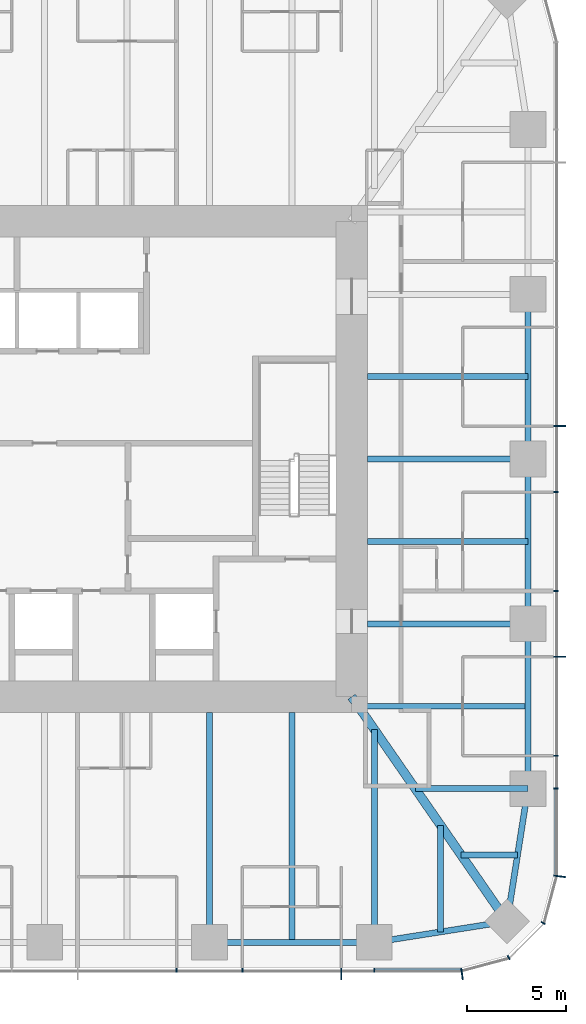
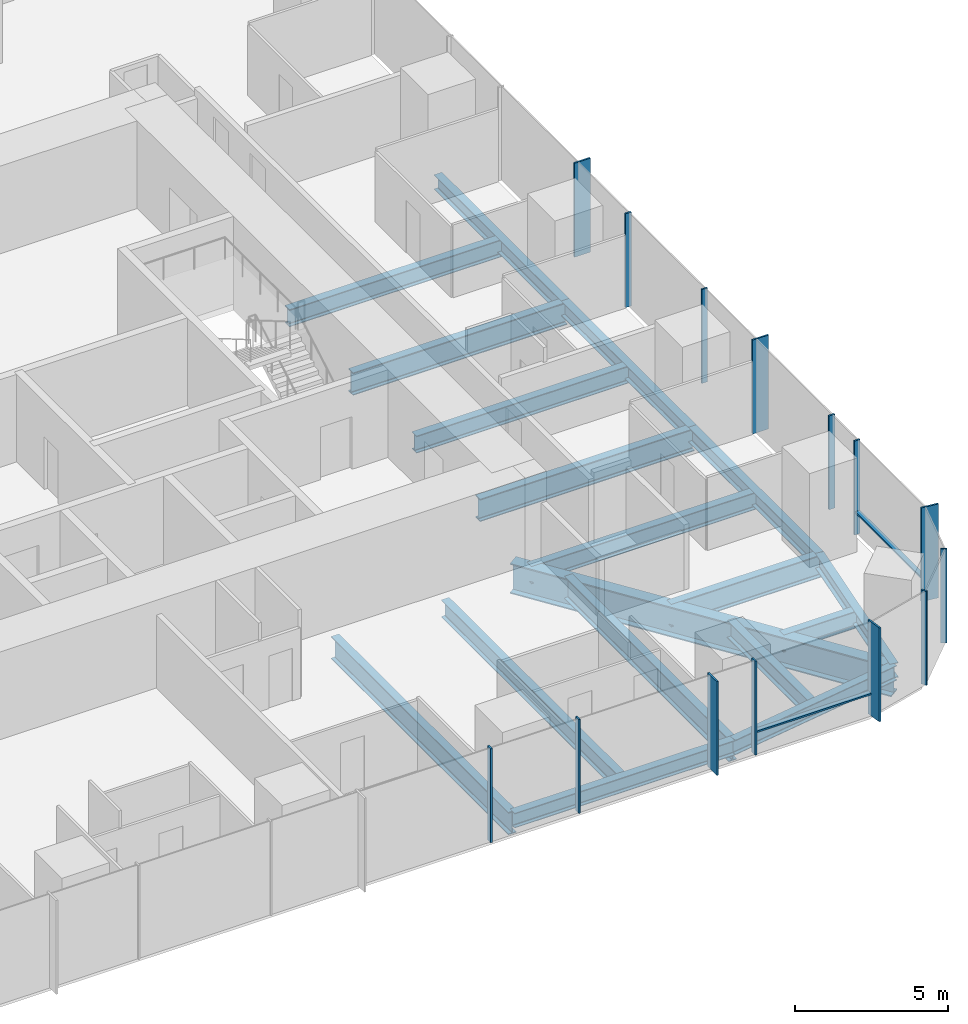
# One storey, part 4 of 13: 18 beams, 16 members, 3 elements without a shape of their own.
"""IFC4 building model written with IfcOpenShell, lengths in metres."""

from ifc_helpers import new_model, si_unit, direction, frame, origin, origin_2d, place, context, subcontext, project, spatial, rectangle, i_section, extrude, material, material_profile, profile_set, type_object, element, aggregate, save


model = new_model("IFC4")

# Units and contexts
model_context = context("Model", 3, precision=1e-05, world=origin(), true_north=direction((0.0, 1.0)))
body_context = subcontext(model_context, "Body", "Model", "MODEL_VIEW")
ifc_project = project(units=[si_unit("LENGTHUNIT", "METRE"), si_unit("AREAUNIT", "SQUARE_METRE"), si_unit("VOLUMEUNIT", "CUBIC_METRE"), si_unit("PLANEANGLEUNIT", "RADIAN"), si_unit("MASSUNIT", "GRAM", prefix="KILO")], contexts=[model_context])

# Site, building, storey
site_placement = place(None, origin())
site = spatial("IfcSite", under=ifc_project, at=site_placement, CompositionType="ELEMENT")
building_placement = place(site_placement, origin())
building = spatial("IfcBuilding", under=site, at=building_placement, Name="Khuree Lantern Residences", CompositionType="ELEMENT")
storey_placement = place(building_placement, frame((0.0, 0.0, 252.0)))
storey = spatial("IfcBuildingStorey", under=building, at=storey_placement, Name="L63", CompositionType="ELEMENT", Elevation=252.0)

# Beams
ifc_material_1 = material(Name="Steel S355", Category="steel")
ifc_material_profile_1 = material_profile(ifc_material_1, i_section(OverallWidth=0.300048828125, OverallDepth=0.68994140625, WebThickness=0.014404296875, FlangeThickness=0.027099609375, FilletRadius=0.027099609375, at=origin_2d()), Name="HE 700 A")
ifc_profile_set_1 = profile_set([ifc_material_profile_1], Name="Steel S355")
beam_type_1 = type_object("IfcBeamType", Name="B-34 SECONDARY BEAM HE 700 A", PredefinedType="BEAM", material=ifc_profile_set_1)
for number, where, z_axis, x_axis, name in (
    (1, (24.39990234375, 4.159912109375, -0.594970703125), (-1.0, 0.0, 0.0), (0.0, -1.0, 0.0), "Secondary beam E3"),
    (2, (24.39990234375, -4.159912109375, -0.594970703125), (-1.0, 0.0, 0.0), (0.0, -1.0, 0.0), "Secondary beam E4"),
):
    element("IfcBeam", number, at=place(storey_placement, frame(where, z_axis=z_axis, x_axis=x_axis)), inside=storey, type_object=beam_type_1, Name=name, PredefinedType="BEAM", context=body_context, shape_type="SweptSolid", body=[
        extrude(i_section(OverallWidth=0.300048828125, OverallDepth=0.68994140625, WebThickness=0.014404296875, FlangeThickness=0.027099609375, FilletRadius=0.027099609375, at=origin_2d()), origin(), (0.0, 0.0, 1.0), 8.099853515625),
    ])
beam_1_placement = place(storey_placement, frame((24.39990234375, -12.47998046875, -0.594970703125), z_axis=(-1.0, 0.0, 0.0), x_axis=(0.0, -1.0, 0.0)))
element("IfcBeam", 3, at=beam_1_placement, inside=storey, type_object=beam_type_1, Name="Secondary beam E5", PredefinedType="BEAM", context=body_context, shape_type="SweptSolid", body=[
    extrude(i_section(OverallWidth=0.300048828125, OverallDepth=0.68994140625, WebThickness=0.014404296875, FlangeThickness=0.027099609375, FilletRadius=0.027099609375, at=origin_2d()), origin(), (0.0, 0.0, 1.0), 8.56787109375),
])
beam_2_placement = place(storey_placement, frame((23.872802734375, -19.992919921875, -0.594970703125), z_axis=(-1.0, 0.0, 0.0), x_axis=(0.0, -1.0, 0.0)))
element("IfcBeam", 4, at=beam_2_placement, inside=storey, type_object=beam_type_1, Name="Secondary beam E6", PredefinedType="BEAM", context=body_context, shape_type="SweptSolid", body=[
    extrude(i_section(OverallWidth=0.300048828125, OverallDepth=0.68994140625, WebThickness=0.014404296875, FlangeThickness=0.027099609375, FilletRadius=0.027099609375, at=origin_2d()), origin(), (0.0, 0.0, 1.0), 2.845703125),
])
beam_3_placement = place(storey_placement, frame((19.992919921875, -23.872802734375, -0.594970703125), z_axis=(0.0, 1.0, 0.0), x_axis=(-1.0, 0.0, 0.0)))
element("IfcBeam", 5, at=beam_3_placement, inside=storey, type_object=beam_type_1, Name="Secondary beam S1", PredefinedType="BEAM", context=body_context, shape_type="SweptSolid", body=[
    extrude(i_section(OverallWidth=0.300048828125, OverallDepth=0.68994140625, WebThickness=0.014404296875, FlangeThickness=0.027099609375, FilletRadius=0.027099609375, at=origin_2d()), origin(), (0.0, 0.0, 1.0), 5.375732421875),
])
beam_4_placement = place(storey_placement, frame((12.47998046875, -24.39990234375, -0.594970703125), z_axis=(0.0, 1.0, 0.0), x_axis=(-1.0, 0.0, 0.0)))
element("IfcBeam", 6, at=beam_4_placement, inside=storey, type_object=beam_type_1, Name="Secondary beam S2", PredefinedType="BEAM", context=body_context, shape_type="SweptSolid", body=[
    extrude(i_section(OverallWidth=0.300048828125, OverallDepth=0.68994140625, WebThickness=0.014404296875, FlangeThickness=0.027099609375, FilletRadius=0.027099609375, at=origin_2d()), origin(), (0.0, 0.0, 1.0), 11.599853515625),
])
ifc_material_profile_2 = material_profile(ifc_material_1, i_section(OverallWidth=0.300048828125, OverallDepth=0.590087890625, WebThickness=0.012939453125, FlangeThickness=0.02490234375, FilletRadius=0.027099609375, at=origin_2d()), Name="HE 600 A")
ifc_profile_set_2 = profile_set([ifc_material_profile_2], Name="Steel S355")
beam_type_2 = type_object("IfcBeamType", Name="E-34 SPANDREL BEAM HE 600 A", PredefinedType="SPANDREL", material=ifc_profile_set_2)
for number, where, z_axis, x_axis, name in (
    (7, (24.39990234375, 8.320068359375, -0.544921875), (0.0, -1.0, 0.0), (1.0, 0.0, 0.0), "Spandrel beam E3"),
    (8, (24.39990234375, 0.0, -0.544921875), (0.0, -1.0, 0.0), (1.0, 0.0, 0.0), "Spandrel beam E4"),
):
    element("IfcBeam", number, at=place(storey_placement, frame(where, z_axis=z_axis, x_axis=x_axis)), inside=storey, type_object=beam_type_2, Name=name, PredefinedType="SPANDREL", context=body_context, shape_type="SweptSolid", body=[
        extrude(i_section(OverallWidth=0.300048828125, OverallDepth=0.590087890625, WebThickness=0.012939453125, FlangeThickness=0.02490234375, FilletRadius=0.027099609375, at=origin_2d()), origin(), (0.0, 0.0, 1.0), 8.320068359375),
    ])
beam_5_placement = place(storey_placement, frame((24.39990234375, -8.320068359375, -0.544921875), z_axis=(0.0, -1.0, 0.0), x_axis=(1.0, 0.0, 0.0)))
element("IfcBeam", 9, at=beam_5_placement, inside=storey, type_object=beam_type_2, Name="Spandrel beam E5", PredefinedType="SPANDREL", context=body_context, shape_type="SweptSolid", body=[
    extrude(i_section(OverallWidth=0.300048828125, OverallDepth=0.590087890625, WebThickness=0.012939453125, FlangeThickness=0.02490234375, FilletRadius=0.027099609375, at=origin_2d()), origin(), (0.0, 0.0, 1.0), 8.31982421875),
])
for number, where, z_axis, x_axis, name in (
    (10, (24.39990234375, -16.639892578125, -0.544921875), (-0.155299507442, -0.98786743189, 0.0), (0.98786743189, -0.155299507442, 0.0), "Spandrel beam E6"),
    (11, (23.345703125, -23.345703125, -0.544921875), (-0.98786743189, -0.155299507442, 0.0), (0.155299507442, -0.98786743189, 0.0), "Spandrel beam S1"),
):
    element("IfcBeam", number, at=place(storey_placement, frame(where, z_axis=z_axis, x_axis=x_axis)), inside=storey, type_object=beam_type_2, Name=name, PredefinedType="SPANDREL", context=body_context, shape_type="SweptSolid", body=[
        extrude(i_section(OverallWidth=0.300048828125, OverallDepth=0.590087890625, WebThickness=0.012939453125, FlangeThickness=0.02490234375, FilletRadius=0.027099609375, at=origin_2d()), origin(), (0.0, 0.0, 1.0), 6.7880859375),
    ])
beam_6_placement = place(storey_placement, frame((16.639892578125, -24.39990234375, -0.544921875), z_axis=(-1.0, 0.0, 0.0), x_axis=(0.0, -1.0, 0.0)))
element("IfcBeam", 12, at=beam_6_placement, inside=storey, type_object=beam_type_2, Name="Spandrel beam S2", PredefinedType="SPANDREL", context=body_context, shape_type="SweptSolid", body=[
    extrude(i_section(OverallWidth=0.300048828125, OverallDepth=0.590087890625, WebThickness=0.012939453125, FlangeThickness=0.02490234375, FilletRadius=0.027099609375, at=origin_2d()), origin(), (0.0, 0.0, 1.0), 8.31982421875),
])

# Curtain wall, member
ifc_material_2 = material(Name="Bronze anodised aluminium", Category="aluminium")
curtain_wall_type_1 = type_object("IfcCurtainWallType", Name="CW-T2 TOWER CORNER CURTAIN WALL", PredefinedType="USERDEFINED", material=ifc_material_2)
curtain_wall_1_placement = place(storey_placement, origin())
curtain_wall_1 = element("IfcCurtainWall", 13, at=curtain_wall_1_placement, inside=storey, type_object=curtain_wall_type_1, Name="L63 SOUTH-EAST CORNER CURTAIN WALL", ObjectType="Faceted corner curtain wall", PredefinedType="USERDEFINED")
ifc_material_profile_3 = material_profile(ifc_material_2, rectangle(XDim=0.06494140625, YDim=0.60009765625, at=origin_2d()), Name="F1 65X600")
ifc_profile_set_3 = profile_set([ifc_material_profile_3], Name="Bronze anodised aluminium")
member_type_1 = type_object("IfcMemberType", Name="F1 BRONZE FIN MULLION TOWER 65X600", PredefinedType="MULLION", material=ifc_profile_set_3)
member_1_placement = place(storey_placement, frame((21.06982421875, -26.0, 0.0), z_axis=(0.0, 0.0, 1.0), x_axis=(0.991444862943, 0.130526180298, 0.0)))
member_1 = element("IfcMember", 14, at=member_1_placement, type_object=member_type_1, Name="L63 SOUTH-EAST CORNER FIN MULLION 1", PredefinedType="MULLION", context=body_context, shape_type="SweptSolid", body=[
    extrude(rectangle(XDim=0.06494140625, YDim=0.60009765625, at=origin_2d()), origin(), (0.0, 0.0, 1.0), 3.75),
])

# Curtain wall, members
curtain_wall_type_2 = type_object("IfcCurtainWallType", Name="CW-T1 TOWER FACE CURTAIN WALL", PredefinedType="USERDEFINED", material=ifc_material_2)
curtain_wall_2_placement = place(storey_placement, origin())
curtain_wall_2 = element("IfcCurtainWall", 15, at=curtain_wall_2_placement, inside=storey, type_object=curtain_wall_type_2, Name="L63 EAST FACE CURTAIN WALL", ObjectType="Stick-built curtain wall", PredefinedType="USERDEFINED")
member_2_placement = place(storey_placement, frame((26.0, -21.06982421875, 0.0), z_axis=(0.0, 0.0, 1.0), x_axis=(0.130526180298, 0.991444862943, 0.0)))
member_2 = element("IfcMember", 16, at=member_2_placement, type_object=member_type_1, Name="L63 EAST FACE FIN MULLION 4", PredefinedType="MULLION", context=body_context, shape_type="SweptSolid", body=[
    extrude(rectangle(XDim=0.06494140625, YDim=0.60009765625, at=origin_2d()), origin(), (0.0, 0.0, 1.0), 3.75),
])
member_3_placement = place(storey_placement, frame((26.0, -9.98388671875, 0.0), z_axis=(0.0, 0.0, 1.0), x_axis=(0.0, 1.0, 0.0)))
member_3 = element("IfcMember", 17, at=member_3_placement, type_object=member_type_1, Name="L63 EAST FACE FIN MULLION 7", PredefinedType="MULLION", context=body_context, shape_type="SweptSolid", body=[
    extrude(rectangle(XDim=0.06494140625, YDim=0.60009765625, at=origin_2d()), origin(), (0.0, 0.0, 1.0), 3.75),
])
member_4_placement = place(storey_placement, frame((26.0, 1.6640625, 0.0), z_axis=(0.0, 0.0, 1.0), x_axis=(0.0, 1.0, 0.0)))
member_4 = element("IfcMember", 18, at=member_4_placement, type_object=member_type_1, Name="L63 EAST FACE FIN MULLION 10", PredefinedType="MULLION", context=body_context, shape_type="SweptSolid", body=[
    extrude(rectangle(XDim=0.06494140625, YDim=0.60009765625, at=origin_2d()), origin(), (0.0, 0.0, 1.0), 3.75),
])

# Curtain wall, member
curtain_wall_3_placement = place(storey_placement, origin())
curtain_wall_3 = element("IfcCurtainWall", 19, at=curtain_wall_3_placement, inside=storey, type_object=curtain_wall_type_2, Name="L63 SOUTH FACE CURTAIN WALL", ObjectType="Stick-built curtain wall", PredefinedType="USERDEFINED")
member_5_placement = place(storey_placement, frame((14.97607421875, -26.0, 0.0), z_axis=(0.0, 0.0, 1.0), x_axis=(1.0, 0.0, 0.0)))
member_5 = element("IfcMember", 20, at=member_5_placement, type_object=member_type_1, Name="L63 SOUTH FACE FIN MULLION 55", PredefinedType="MULLION", context=body_context, shape_type="SweptSolid", body=[
    extrude(rectangle(XDim=0.06494140625, YDim=0.60009765625, at=origin_2d()), origin(), (0.0, 0.0, 1.0), 3.75),
])

# Beams
ifc_material_profile_4 = material_profile(ifc_material_1, i_section(OverallWidth=0.300048828125, OverallDepth=0.89990234375, WebThickness=0.0185546875, FlangeThickness=0.034912109375, FilletRadius=0.030029296875, at=origin_2d()), Name="HE 900 B")
ifc_profile_set_4 = profile_set([ifc_material_profile_4], Name="Steel S355")
beam_type_3 = type_object("IfcBeamType", Name="G-34 GIRDER HE 900 B", PredefinedType="BEAM", material=ifc_profile_set_4)
for number, where, z_axis, x_axis, name in (
    (21, (24.39990234375, 0.0, -0.699951171875), (-1.0, 0.0, 0.0), (0.0, -1.0, 0.0), "Girder E3"),
    (22, (24.39990234375, -8.320068359375, -0.699951171875), (-1.0, 0.0, 0.0), (0.0, -1.0, 0.0), "Girder E4"),
):
    element("IfcBeam", number, at=place(storey_placement, frame(where, z_axis=z_axis, x_axis=x_axis)), inside=storey, type_object=beam_type_3, Name=name, PredefinedType="BEAM", context=body_context, shape_type="SweptSolid", body=[
        extrude(i_section(OverallWidth=0.300048828125, OverallDepth=0.89990234375, WebThickness=0.0185546875, FlangeThickness=0.034912109375, FilletRadius=0.030029296875, at=origin_2d()), origin(), (0.0, 0.0, 1.0), 8.099853515625),
    ])
beam_7_placement = place(storey_placement, frame((24.39990234375, -16.639892578125, -0.699951171875), z_axis=(-1.0, 0.0, 0.0), x_axis=(0.0, -1.0, 0.0)))
element("IfcBeam", 23, at=beam_7_placement, inside=storey, type_object=beam_type_3, Name="Girder E5", PredefinedType="BEAM", context=body_context, shape_type="SweptSolid", body=[
    extrude(i_section(OverallWidth=0.300048828125, OverallDepth=0.89990234375, WebThickness=0.0185546875, FlangeThickness=0.034912109375, FilletRadius=0.030029296875, at=origin_2d()), origin(), (0.0, 0.0, 1.0), 5.69140625),
])
beam_8_placement = place(storey_placement, frame((16.639892578125, -24.39990234375, -0.699951171875), z_axis=(0.0, 1.0, 0.0), x_axis=(-1.0, 0.0, 0.0)))
element("IfcBeam", 24, at=beam_8_placement, inside=storey, type_object=beam_type_3, Name="Girder S1", PredefinedType="BEAM", context=body_context, shape_type="SweptSolid", body=[
    extrude(i_section(OverallWidth=0.300048828125, OverallDepth=0.89990234375, WebThickness=0.0185546875, FlangeThickness=0.034912109375, FilletRadius=0.030029296875, at=origin_2d()), origin(), (0.0, 0.0, 1.0), 10.751220703125),
])
beam_9_placement = place(storey_placement, frame((8.320068359375, -24.39990234375, -0.699951171875), z_axis=(0.0, 1.0, 0.0), x_axis=(-1.0, 0.0, 0.0)))
element("IfcBeam", 25, at=beam_9_placement, inside=storey, type_object=beam_type_3, Name="Girder S2", PredefinedType="BEAM", context=body_context, shape_type="SweptSolid", body=[
    extrude(i_section(OverallWidth=0.300048828125, OverallDepth=0.89990234375, WebThickness=0.0185546875, FlangeThickness=0.034912109375, FilletRadius=0.030029296875, at=origin_2d()), origin(), (0.0, 0.0, 1.0), 11.599853515625),
])
ifc_material_profile_5 = material_profile(ifc_material_1, i_section(OverallWidth=0.449951171875, OverallDepth=1.199951171875, WebThickness=0.02490234375, FlangeThickness=0.044921875, at=origin_2d()), Name="WELDED I 1200X450X25X45")
ifc_profile_set_5 = profile_set([ifc_material_profile_5], Name="Steel S355")
beam_type_4 = type_object("IfcBeamType", Name="GD-34 CORNER GIRDER WELDED I 1200X450X25X45", PredefinedType="BEAM", material=ifc_profile_set_5)
beam_10_placement = place(storey_placement, frame((23.345703125, -23.345703125, -0.85009765625), z_axis=(-0.56876813501, 0.822497907959, 0.0), x_axis=(-0.822497907959, -0.56876813501, 0.0)))
element("IfcBeam", 26, at=beam_10_placement, inside=storey, type_object=beam_type_4, Name="Corner girder SE", PredefinedType="BEAM", context=body_context, shape_type="SweptSolid", body=[
    extrude(i_section(OverallWidth=0.449951171875, OverallDepth=1.199951171875, WebThickness=0.02490234375, FlangeThickness=0.044921875, at=origin_2d()), origin(), (0.0, 0.0, 1.0), 13.794189453125),
])

# Member
ifc_material_profile_6 = material_profile(ifc_material_2, rectangle(XDim=0.06494140625, YDim=0.219970703125, at=origin_2d()), Name="M1 65X220")
ifc_profile_set_6 = profile_set([ifc_material_profile_6], Name="Bronze anodised aluminium")
member_type_2 = type_object("IfcMemberType", Name="M1 BRONZE MULLION TOWER 65X220", PredefinedType="MULLION", material=ifc_profile_set_6)
member_6_placement = place(storey_placement, frame((23.429931640625, -25.17236328125, 0.0), z_axis=(0.0, 0.0, 1.0), x_axis=(0.866025409797, 0.499999989586, 0.0)))
member_6 = element("IfcMember", 27, at=member_6_placement, type_object=member_type_2, Name="L63 SOUTH-EAST CORNER MULLION 2", PredefinedType="MULLION", context=body_context, shape_type="SweptSolid", body=[
    extrude(rectangle(XDim=0.06494140625, YDim=0.219970703125, at=origin_2d()), origin(), (0.0, 0.0, 1.0), 3.75),
])

member_7_placement = place(storey_placement, frame((25.17236328125, -23.429931640625, 0.0), z_axis=(0.0, 0.0, 1.0), x_axis=(0.499999989586, 0.866025409797, 0.0)))
member_7 = element("IfcMember", 28, at=member_7_placement, type_object=member_type_2, Name="L63 SOUTH-EAST CORNER MULLION 3", PredefinedType="MULLION", context=body_context, shape_type="SweptSolid", body=[
    extrude(rectangle(XDim=0.06494140625, YDim=0.219970703125, at=origin_2d()), origin(), (0.0, 0.0, 1.0), 3.75),
])

aggregate(curtain_wall_1, [member_1, member_6, member_7])

member_8_placement = place(storey_placement, frame((25.81005859375, -16.639892578125, 0.0), z_axis=(0.0, 0.0, 1.0), x_axis=(0.0, 1.0, 0.0)))
member_8 = element("IfcMember", 29, at=member_8_placement, type_object=member_type_2, Name="L63 EAST FACE MULLION 5", PredefinedType="MULLION", context=body_context, shape_type="SweptSolid", body=[
    extrude(rectangle(XDim=0.06494140625, YDim=0.219970703125, at=origin_2d()), origin(), (0.0, 0.0, 1.0), 3.75),
])

member_9_placement = place(storey_placement, frame((25.81005859375, -14.97607421875, 0.0), z_axis=(0.0, 0.0, 1.0), x_axis=(0.0, 1.0, 0.0)))
member_9 = element("IfcMember", 30, at=member_9_placement, type_object=member_type_2, Name="L63 EAST FACE MULLION 6", PredefinedType="MULLION", context=body_context, shape_type="SweptSolid", body=[
    extrude(rectangle(XDim=0.06494140625, YDim=0.219970703125, at=origin_2d()), origin(), (0.0, 0.0, 1.0), 3.75),
])

member_10_placement = place(storey_placement, frame((25.81005859375, -6.656005859375, 0.0), z_axis=(0.0, 0.0, 1.0), x_axis=(0.0, 1.0, 0.0)))
member_10 = element("IfcMember", 31, at=member_10_placement, type_object=member_type_2, Name="L63 EAST FACE MULLION 8", PredefinedType="MULLION", context=body_context, shape_type="SweptSolid", body=[
    extrude(rectangle(XDim=0.06494140625, YDim=0.219970703125, at=origin_2d()), origin(), (0.0, 0.0, 1.0), 3.75),
])

member_11_placement = place(storey_placement, frame((25.81005859375, -1.6640625, 0.0), z_axis=(0.0, 0.0, 1.0), x_axis=(0.0, 1.0, 0.0)))
member_11 = element("IfcMember", 32, at=member_11_placement, type_object=member_type_2, Name="L63 EAST FACE MULLION 9", PredefinedType="MULLION", context=body_context, shape_type="SweptSolid", body=[
    extrude(rectangle(XDim=0.06494140625, YDim=0.219970703125, at=origin_2d()), origin(), (0.0, 0.0, 1.0), 3.75),
])

member_12_placement = place(storey_placement, frame((6.656005859375, -25.81005859375, 0.0), z_axis=(0.0, 0.0, 1.0), x_axis=(1.0, 0.0, 0.0)))
member_12 = element("IfcMember", 33, at=member_12_placement, type_object=member_type_2, Name="L63 SOUTH FACE MULLION 53", PredefinedType="MULLION", context=body_context, shape_type="SweptSolid", body=[
    extrude(rectangle(XDim=0.06494140625, YDim=0.219970703125, at=origin_2d()), origin(), (0.0, 0.0, 1.0), 3.75),
])

member_13_placement = place(storey_placement, frame((9.98388671875, -25.81005859375, 0.0), z_axis=(0.0, 0.0, 1.0), x_axis=(1.0, 0.0, 0.0)))
member_13 = element("IfcMember", 34, at=member_13_placement, type_object=member_type_2, Name="L63 SOUTH FACE MULLION 54", PredefinedType="MULLION", context=body_context, shape_type="SweptSolid", body=[
    extrude(rectangle(XDim=0.06494140625, YDim=0.219970703125, at=origin_2d()), origin(), (0.0, 0.0, 1.0), 3.75),
])

member_14_placement = place(storey_placement, frame((16.639892578125, -25.81005859375, 0.0), z_axis=(0.0, 0.0, 1.0), x_axis=(1.0, 0.0, 0.0)))
member_14 = element("IfcMember", 35, at=member_14_placement, type_object=member_type_2, Name="L63 SOUTH FACE MULLION 56", PredefinedType="MULLION", context=body_context, shape_type="SweptSolid", body=[
    extrude(rectangle(XDim=0.06494140625, YDim=0.219970703125, at=origin_2d()), origin(), (0.0, 0.0, 1.0), 3.75),
])

ifc_material_profile_7 = material_profile(ifc_material_2, rectangle(XDim=0.179931640625, YDim=0.06494140625, at=origin_2d()), Name="T1 180X65")
ifc_profile_set_7 = profile_set([ifc_material_profile_7], Name="Bronze anodised aluminium")
member_type_3 = type_object("IfcMemberType", Name="TRANSOM T1 TOWER 180X65", PredefinedType="USERDEFINED", material=ifc_profile_set_7)
member_15_placement = place(storey_placement, frame((25.820068359375, -21.00146484375, 0.89990234375), z_axis=(0.0, 1.0, 0.0), x_axis=(-1.0, 0.0, 0.0)))
member_15 = element("IfcMember", 36, at=member_15_placement, type_object=member_type_3, Name="L63 EAST FACE TRANSOM 4.1", ObjectType="Transom", PredefinedType="USERDEFINED", context=body_context, shape_type="SweptSolid", body=[
    extrude(rectangle(XDim=0.179931640625, YDim=0.06494140625, at=origin_2d()), origin(), (0.0, 0.0, 1.0), 4.328857421875),
])

aggregate(curtain_wall_2, [member_2, member_8, member_9, member_3, member_10, member_11, member_4, member_15])

member_16_placement = place(storey_placement, frame((16.672607421875, -25.820068359375, 0.89990234375), z_axis=(1.0, 0.0, 0.0), x_axis=(0.0, 1.0, 0.0)))
member_16 = element("IfcMember", 37, at=member_16_placement, type_object=member_type_3, Name="L63 SOUTH FACE TRANSOM 56.1", ObjectType="Transom", PredefinedType="USERDEFINED", context=body_context, shape_type="SweptSolid", body=[
    extrude(rectangle(XDim=0.179931640625, YDim=0.06494140625, at=origin_2d()), origin(), (0.0, 0.0, 1.0), 4.328857421875),
])

aggregate(curtain_wall_3, [member_12, member_13, member_5, member_14, member_16])

save(model, "model.ifc")
